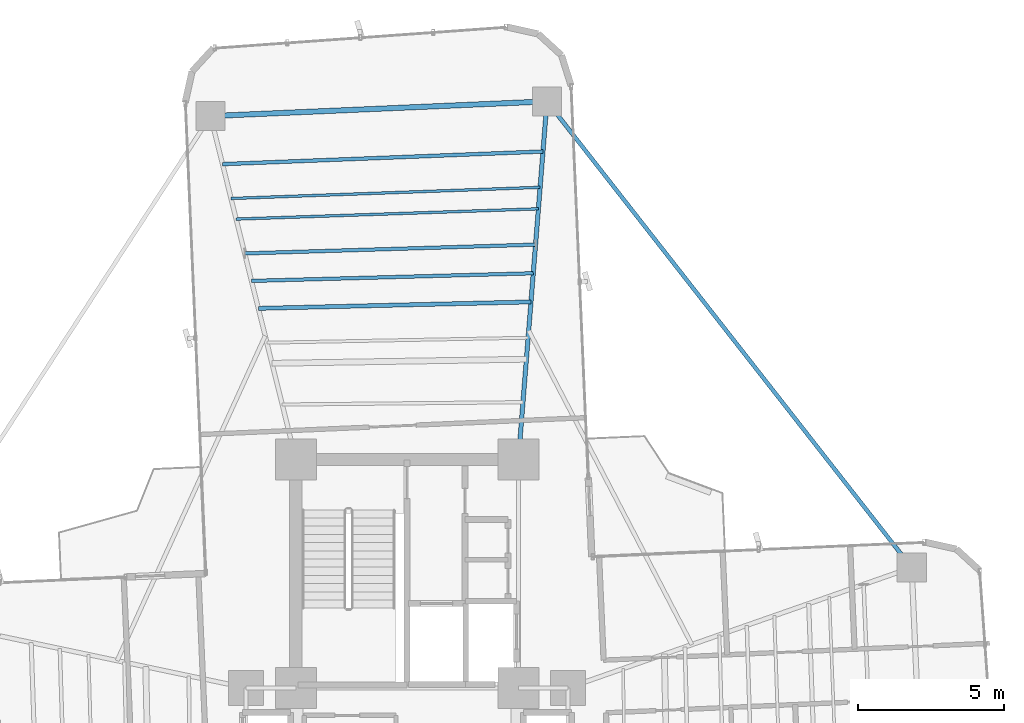
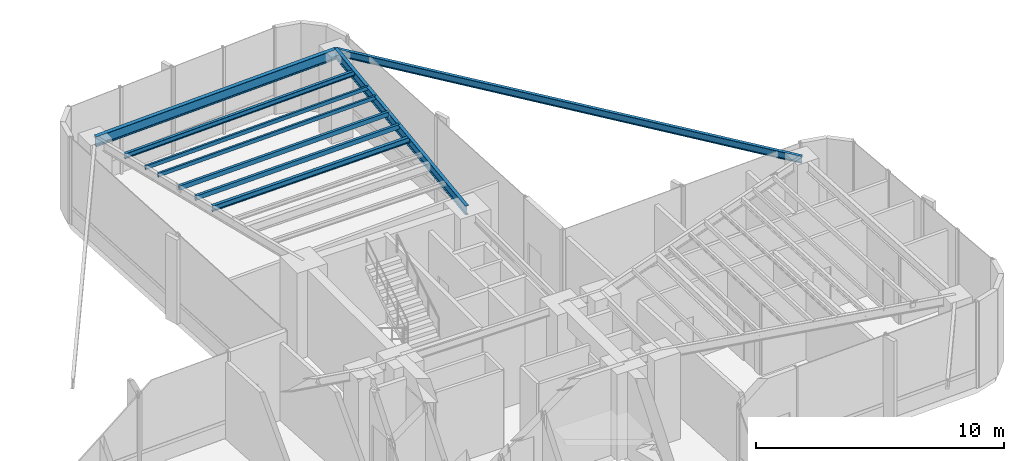
# One storey, part 12 of 23: 9 beams.
"""IFC4 building model written with IfcOpenShell, lengths in metres."""

from ifc_helpers import new_model, si_unit, direction, frame, origin, origin_2d, place, context, subcontext, project, spatial, hollow_rectangle, i_section, extrude, source, transform, mapped, material, material_profile, profile_set, type_object, element, save


model = new_model("IFC4")

# Units and contexts
model_context = context("Model", 3, precision=1e-05, world=origin(), true_north=direction((0.0, 1.0)))
body_context = subcontext(model_context, "Body", "Model", "MODEL_VIEW")
ifc_project = project(units=[si_unit("LENGTHUNIT", "METRE"), si_unit("AREAUNIT", "SQUARE_METRE"), si_unit("VOLUMEUNIT", "CUBIC_METRE"), si_unit("PLANEANGLEUNIT", "RADIAN"), si_unit("MASSUNIT", "GRAM", prefix="KILO")], contexts=[model_context])

# Site, building, storey
site_placement = place(None, origin())
site = spatial("IfcSite", under=ifc_project, at=site_placement, CompositionType="ELEMENT")
building_placement = place(site_placement, origin())
building = spatial("IfcBuilding", under=site, at=building_placement, Name="Sahyath Konkavel Grand Hotel", CompositionType="ELEMENT")
storey_placement = place(building_placement, frame((0.0, 0.0, 106.949951171875)))
storey = spatial("IfcBuildingStorey", under=building, at=storey_placement, Name="L29", CompositionType="ELEMENT", Elevation=106.949951171875)

# Beams
ifc_material = material(Name="Steel E350", Category="steel")
ifc_material_profile_1 = material_profile(ifc_material, i_section(OverallWidth=0.14990234375, OverallDepth=0.449951171875, WebThickness=0.009521484375, FlangeThickness=0.017333984375, FilletRadius=0.014892578125, at=origin_2d()), Name="ISMB 450")
ifc_profile_set_1 = profile_set([ifc_material_profile_1], Name="Steel E350")
beam_type_1 = type_object("IfcBeamType", Name="BM-ISMB450", PredefinedType="BEAM", material=ifc_profile_set_1)
shared_shape_1 = source(origin(), body_context, "Body", "SweptSolid", [
    extrude(i_section(OverallWidth=0.14990234375, OverallDepth=0.449951171875, WebThickness=0.009521484375, FlangeThickness=0.017333984375, FilletRadius=0.014892578125, at=origin_2d()), origin(), (0.0, 0.0, 1.0), 12.2685546875),
])
beam_1_placement = place(storey_placement, frame((3.800048828125, 10.199951171875, 4.03515625), z_axis=(0.079558563357, 0.996830193662, 0.0), x_axis=(-0.996830193662, 0.079558563357, 0.0)))
element("IfcBeam", 1, at=beam_1_placement, inside=storey, type_object=beam_type_1, Name="L29 Cruciform Radial Girder NA", PredefinedType="BEAM", context=body_context, shape_type="MappedRepresentation", body=[
    mapped(shared_shape_1, transform((0.0, 0.0, 0.0), scale=1.0)),
])
ifc_material_profile_2 = material_profile(ifc_material, i_section(OverallWidth=0.179931640625, OverallDepth=0.5, WebThickness=0.01025390625, FlangeThickness=0.01708984375, FilletRadius=0.01708984375, at=origin_2d()), Name="ISMB 500")
ifc_profile_set_2 = profile_set([ifc_material_profile_2], Name="Steel E350")
beam_type_2 = type_object("IfcBeamType", Name="BM-ISMB500", PredefinedType="BEAM", material=ifc_profile_set_2)
shared_shape_2 = source(origin(), body_context, "Body", "SweptSolid", [
    extrude(i_section(OverallWidth=0.179931640625, OverallDepth=0.5, WebThickness=0.01025390625, FlangeThickness=0.01708984375, FilletRadius=0.01708984375, at=origin_2d()), origin(), (0.0, 0.0, 1.0), 11.5),
])
beam_2_placement = place(storey_placement, frame((4.776123046875, 22.4296875, 4.010009765625), z_axis=(-0.99904788879, -0.043627008892, 0.0), x_axis=(0.043627008892, -0.99904788879, 0.0)))
element("IfcBeam", 2, at=beam_2_placement, inside=storey, type_object=beam_type_2, Name="L29 Wing Tip Edge Beam N", PredefinedType="BEAM", context=body_context, shape_type="MappedRepresentation", body=[
    mapped(shared_shape_2, transform((0.0, 0.0, 0.0), scale=1.0)),
])
ifc_material_profile_3 = material_profile(ifc_material, i_section(OverallWidth=0.139892578125, OverallDepth=0.35009765625, WebThickness=0.008056640625, FlangeThickness=0.01416015625, FilletRadius=0.013916015625, at=origin_2d()), Name="ISMB 350")
ifc_profile_set_3 = profile_set([ifc_material_profile_3], Name="Steel E350")
beam_type_3 = type_object("IfcBeamType", Name="BM-ISMB350", PredefinedType="BEAM", material=ifc_profile_set_3)
shared_shape_3 = source(origin(), body_context, "Body", "SweptSolid", [
    extrude(i_section(OverallWidth=0.139892578125, OverallDepth=0.35009765625, WebThickness=0.008056640625, FlangeThickness=0.01416015625, FilletRadius=0.013916015625, at=origin_2d()), origin(), (0.0, 0.0, 1.0), 20.215576171875),
])
beam_3_placement = place(storey_placement, frame((17.232421875, 6.5078125, 4.0849609375), z_axis=(-0.616176369687, 0.787608203004, 0.0), x_axis=(-0.787608203004, -0.616176369687, 0.0)))
element("IfcBeam", 3, at=beam_3_placement, inside=storey, type_object=beam_type_3, Name="L29 Re-Entrant Tie Beam NE", PredefinedType="BEAM", context=body_context, shape_type="MappedRepresentation", body=[
    mapped(shared_shape_3, transform((0.0, 0.0, 0.0), scale=1.0)),
])
ifc_material_profile_4 = material_profile(ifc_material, hollow_rectangle(XDim=0.1201171875, YDim=0.219970703125, WallThickness=0.010009765625, at=origin_2d()), Name="RHS 220x120x10")
ifc_profile_set_4 = profile_set([ifc_material_profile_4], Name="Steel E350")
beam_type_4 = type_object("IfcBeamType", Name="BM-RHS220", PredefinedType="BEAM", material=ifc_profile_set_4)
shared_shape_4 = source(origin(), body_context, "Body", "SweptSolid", [
    extrude(hollow_rectangle(XDim=0.1201171875, YDim=0.219970703125, WallThickness=0.010009765625, at=origin_2d()), origin(), (0.0, 0.0, 1.0), 9.625732421875),
])
beam_4_placement = place(storey_placement, frame((4.3076171875, 16.559326171875, 4.150146484375), z_axis=(-0.999633060528, -0.027087714933, 0.0), x_axis=(0.027087714933, -0.999633060528, 0.0)))
element("IfcBeam", 4, at=beam_4_placement, inside=storey, type_object=beam_type_4, Name="L29 Secondary Floor Beam N-2", PredefinedType="BEAM", context=body_context, shape_type="MappedRepresentation", body=[
    mapped(shared_shape_4, transform((0.0, 0.0, 0.0), scale=1.0)),
])
ifc_material_profile_5 = material_profile(ifc_material, hollow_rectangle(XDim=0.090087890625, YDim=0.179931640625, WallThickness=0.008056640625, at=origin_2d()), Name="RHS 180x90x8")
ifc_profile_set_5 = profile_set([ifc_material_profile_5], Name="Steel E350")
beam_type_5 = type_object("IfcBeamType", Name="BM-RHS180", PredefinedType="BEAM", material=ifc_profile_set_5)
shared_shape_5 = source(origin(), body_context, "Body", "SweptSolid", [
    extrude(hollow_rectangle(XDim=0.090087890625, YDim=0.179931640625, WallThickness=0.008056640625, at=origin_2d()), origin(), (0.0, 0.0, 1.0), 10.562744140625),
])
beam_5_placement = place(storey_placement, frame((4.5419921875, 19.49462890625, 4.170166015625), z_axis=(-0.999348077295, -0.036102914095, 0.0), x_axis=(0.036102914095, -0.999348077295, 0.0)))
element("IfcBeam", 5, at=beam_5_placement, inside=storey, type_object=beam_type_5, Name="L29 Secondary Floor Beam N-3", PredefinedType="BEAM", context=body_context, shape_type="MappedRepresentation", body=[
    mapped(shared_shape_5, transform((0.0, 0.0, 0.0), scale=1.0)),
])
ifc_material_profile_6 = material_profile(ifc_material, i_section(OverallWidth=0.139892578125, OverallDepth=0.27490234375, WebThickness=0.00634765625, FlangeThickness=0.0087890625, FilletRadius=0.012939453125, at=origin_2d()), Name="ISLB 275")
ifc_profile_set_6 = profile_set([ifc_material_profile_6], Name="Steel E350")
beam_type_6 = type_object("IfcBeamType", Name="BM-ISLB275", PredefinedType="BEAM", material=ifc_profile_set_6)
shared_shape_6 = source(origin(), body_context, "Body", "SweptSolid", [
    extrude(i_section(OverallWidth=0.139892578125, OverallDepth=0.27490234375, WebThickness=0.00634765625, FlangeThickness=0.0087890625, FilletRadius=0.012939453125, at=origin_2d()), origin(), (0.0, 0.0, 1.0), 9.31396484375),
])
beam_6_placement = place(storey_placement, frame((4.2294921875, 15.5810546875, 4.12255859375), z_axis=(-0.999719207624, -0.023696115884, 0.0), x_axis=(0.023696115884, -0.999719207624, 0.0)))
element("IfcBeam", 6, at=beam_6_placement, inside=storey, type_object=beam_type_6, Name="L29 Composite Deck Sub-Beam N-3", PredefinedType="BEAM", context=body_context, shape_type="MappedRepresentation", body=[
    mapped(shared_shape_6, transform((0.0, 0.0, 0.0), scale=1.0)),
])
shared_shape_7 = source(origin(), body_context, "Body", "SweptSolid", [
    extrude(hollow_rectangle(XDim=0.1201171875, YDim=0.219970703125, WallThickness=0.010009765625, at=origin_2d()), origin(), (0.0, 0.0, 1.0), 9.93798828125),
])
beam_7_placement = place(storey_placement, frame((4.3857421875, 17.537841796875, 4.150146484375), z_axis=(-0.999541134068, -0.030290614159, 0.0), x_axis=(0.030290614159, -0.999541134068, 0.0)))
element("IfcBeam", 7, at=beam_7_placement, inside=storey, type_object=beam_type_4, Name="L29 Composite Deck Sub-Beam N-4", PredefinedType="BEAM", context=body_context, shape_type="MappedRepresentation", body=[
    mapped(shared_shape_7, transform((0.0, 0.0, 0.0), scale=1.0)),
])
shared_shape_8 = source(origin(), body_context, "Body", "SweptSolid", [
    extrude(hollow_rectangle(XDim=0.090087890625, YDim=0.179931640625, WallThickness=0.008056640625, at=origin_2d()), origin(), (0.0, 0.0, 1.0), 10.328369140625),
])
beam_8_placement = place(storey_placement, frame((4.4833984375, 18.7607421875, 4.170166015625), z_axis=(-0.999422142561, -0.033990895225, 0.0), x_axis=(0.033990895225, -0.999422142561, 0.0)))
element("IfcBeam", 8, at=beam_8_placement, inside=storey, type_object=beam_type_5, Name="L29 Composite Deck Sub-Beam N-5", PredefinedType="BEAM", context=body_context, shape_type="MappedRepresentation", body=[
    mapped(shared_shape_8, transform((0.0, 0.0, 0.0), scale=1.0)),
])
ifc_material_profile_7 = material_profile(ifc_material, i_section(OverallWidth=0.125, OverallDepth=0.25, WebThickness=0.0068359375, FlangeThickness=0.012451171875, FilletRadius=0.012939453125, at=origin_2d()), Name="ISMB 250")
ifc_profile_set_7 = profile_set([ifc_material_profile_7], Name="Steel E350")
beam_type_7 = type_object("IfcBeamType", Name="BM-ISMB250", PredefinedType="BEAM", material=ifc_profile_set_7)
shared_shape_9 = source(origin(), body_context, "Body", "SweptSolid", [
    extrude(i_section(OverallWidth=0.125, OverallDepth=0.25, WebThickness=0.0068359375, FlangeThickness=0.012451171875, FilletRadius=0.012939453125, at=origin_2d()), origin(), (0.0, 0.0, 1.0), 10.953125),
])
beam_9_placement = place(storey_placement, frame((4.639404296875, 20.717529296875, 4.135009765625), z_axis=(-0.99922407579, -0.039385864996, 0.0), x_axis=(0.039385864996, -0.99922407579, 0.0)))
element("IfcBeam", 9, at=beam_9_placement, inside=storey, type_object=beam_type_7, Name="L29 Composite Deck Sub-Beam N-6", PredefinedType="BEAM", context=body_context, shape_type="MappedRepresentation", body=[
    mapped(shared_shape_9, transform((0.0, 0.0, 0.0), scale=1.0)),
])

save(model, "model.ifc")
